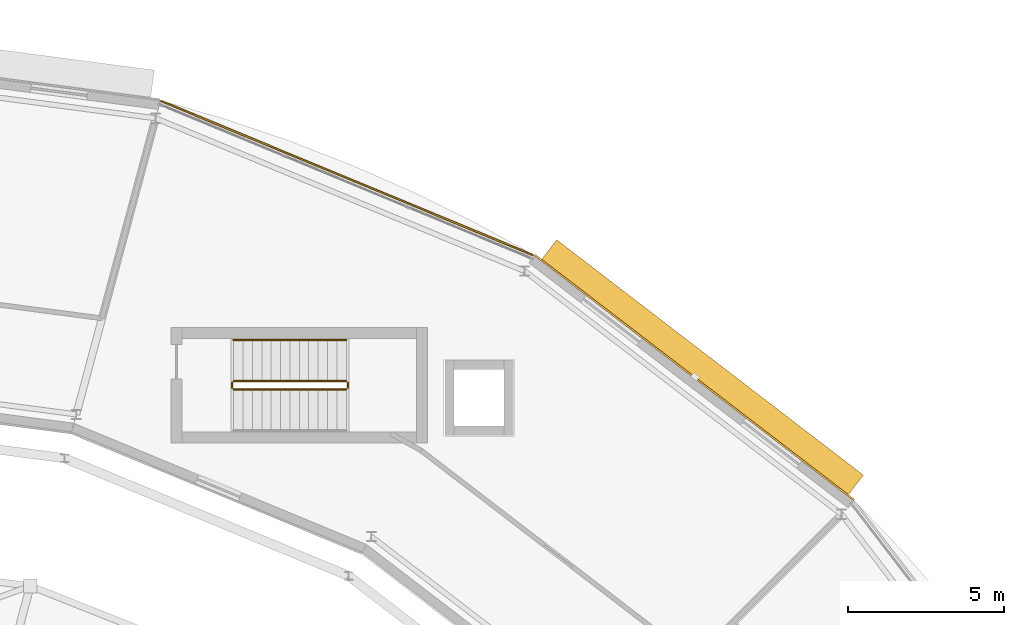
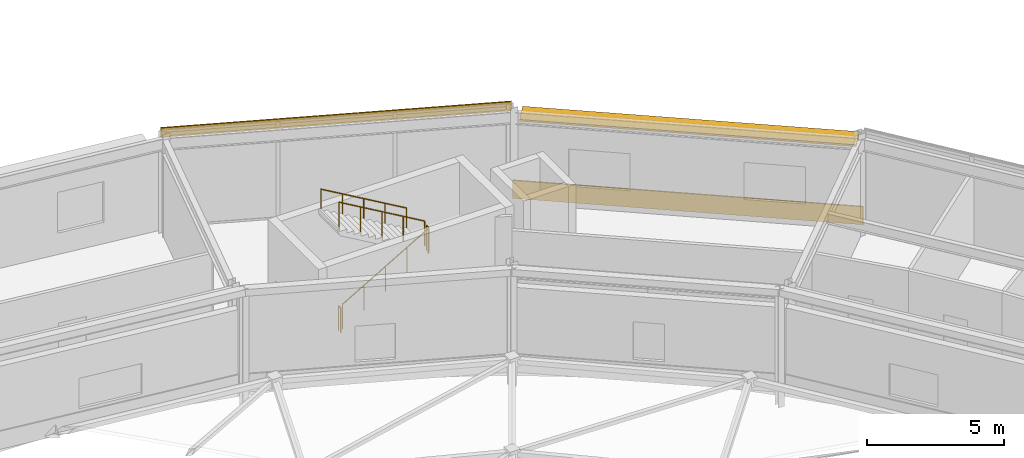
# One storey, part 84 of 89: 5 railings, 2 coverings, 1 shading device.
"""IFC4 building model written with IfcOpenShell, lengths in metres."""

from ifc_helpers import new_model, si_unit, direction, frame, origin, origin_2d, place, context, subcontext, project, spatial, rectangle, circle, extrude, material, layer, layer_set, type_object, element, save


model = new_model("IFC4")

# Units and contexts
model_context = context("Model", 3, precision=1e-05, world=origin(), true_north=direction((0.0, 1.0)))
body_context = subcontext(model_context, "Body", "Model", "MODEL_VIEW")
ifc_project = project(units=[si_unit("LENGTHUNIT", "METRE"), si_unit("AREAUNIT", "SQUARE_METRE"), si_unit("VOLUMEUNIT", "CUBIC_METRE"), si_unit("PLANEANGLEUNIT", "RADIAN"), si_unit("MASSUNIT", "GRAM", prefix="KILO")], contexts=[model_context])

# Site, building, storey
site_placement = place(None, origin())
site = spatial("IfcSite", under=ifc_project, at=site_placement, CompositionType="ELEMENT")
building_placement = place(site_placement, origin())
building = spatial("IfcBuilding", under=site, at=building_placement, Name="Almandine Court Research Institute", CompositionType="ELEMENT")
storey_placement = place(building_placement, frame((0.0, 0.0, 18.89990234375)))
storey = spatial("IfcBuildingStorey", under=building, at=storey_placement, Name="L04", CompositionType="ELEMENT", Elevation=18.89990234375)

# Coverings
ifc_material_1 = material(Name="Extruded Cream-Ochre Seismic Terracotta Spandrel", Category="masonry")
ifc_layer_1 = layer(ifc_material_1, 0.054931640625)
ifc_layer_set_1 = layer_set([ifc_layer_1], Name="Extruded Cream-Ochre Seismic Terracotta Spandrel")
covering_type = type_object("IfcCoveringType", Name="Cov-CLAD-TERR", PredefinedType="CLADDING", material=ifc_layer_set_1)
covering_1_placement = place(storey_placement, frame((116.883056640625, 94.944091796875, 0.02001953125), z_axis=(0.0, 0.0, 1.0), x_axis=(0.793353340291, -0.608761429009, 0.0)))
element("IfcCovering", 1, at=covering_1_placement, inside=storey, type_object=covering_type, Name="L04 Facade Spandrel Cladding Band 408", PredefinedType="CLADDING", context=body_context, shape_type="SweptSolid", body=[
    extrude(rectangle(XDim=12.867919921875, YDim=0.054931640625, at=origin_2d()), origin(), (0.0, 0.0, 1.0), 0.800048828125),
])
covering_2_placement = place(storey_placement, frame((105.77392578125, 101.323974609375, 3.920166015625), z_axis=(0.0, 0.0, 1.0), x_axis=(0.923879532511, -0.382683432365, 0.0)))
element("IfcCovering", 2, at=covering_2_placement, inside=storey, type_object=covering_type, Name="L04 Drum Stacked Terracotta Ring Band 04", PredefinedType="CLADDING", context=body_context, shape_type="SweptSolid", body=[
    extrude(rectangle(XDim=12.8779296875, YDim=0.054931640625, at=origin_2d()), origin(), (0.0, 0.0, 1.0), 0.419921875),
])

# Railings
ifc_material_2 = material(Name="Powder-Coated Steel Stair and Atrium Balustrade", Category="steel")
railing_type_1 = type_object("IfcRailingType", Name="Rail-GUARD-INT", PredefinedType="BALUSTRADE", material=ifc_material_2)
railing_1_placement = place(storey_placement, frame((102.14990234375, 94.570068359375, 0.175048828125)))
element("IfcRailing", 3, at=railing_1_placement, inside=storey, type_object=railing_type_1, Name="L04 ST-09 stair guard 1", PredefinedType="BALUSTRADE", context=body_context, shape_type="SweptSolid", body=[
    extrude(circle(Radius=0.02392578125, at=origin_2d()), frame((0.0, 0.0, 1.09619140625), z_axis=(0.863774651768, 0.0, 0.503878309678), x_axis=(0.0, 1.0, 0.0)), (0.0, 0.0, 1.0), 4.16796875),
    extrude(circle(Radius=0.02099609375, at=origin_2d()), origin(), (0.0, 0.0, 1.0), 1.072021484375),
    extrude(circle(Radius=0.02099609375, at=origin_2d()), frame((0.89990234375, 0.0, 0.52490234375)), (0.0, 0.0, 1.0), 1.072021484375),
    extrude(circle(Radius=0.02099609375, at=origin_2d()), frame((1.800048828125, 0.0, 1.050048828125)), (0.0, 0.0, 1.0), 1.072021484375),
    extrude(circle(Radius=0.02099609375, at=origin_2d()), frame((2.7001953125, 0.0, 1.5751953125)), (0.0, 0.0, 1.0), 1.072021484375),
    extrude(circle(Radius=0.02099609375, at=origin_2d()), frame((3.60009765625, 0.0, 2.10009765625)), (0.0, 0.0, 1.0), 1.072021484375),
])
railing_2_placement = place(storey_placement, frame((105.800048828125, 94.6201171875, 2.275146484375)))
element("IfcRailing", 4, at=railing_2_placement, inside=storey, type_object=railing_type_1, Name="L04 ST-09 stair guard 2", PredefinedType="BALUSTRADE", context=body_context, shape_type="SweptSolid", body=[
    extrude(circle(Radius=0.02392578125, at=origin_2d()), frame((0.0, 0.0, 1.09619140625), z_axis=(0.0, 1.0, 0.0), x_axis=(-1.0, 0.0, 0.0)), (0.0, 0.0, 1.0), 0.159912109375),
    extrude(circle(Radius=0.02099609375, at=origin_2d()), origin(), (0.0, 0.0, 1.0), 1.072021484375),
    extrude(circle(Radius=0.02099609375, at=origin_2d()), frame((0.0, 0.159912109375, 0.0)), (0.0, 0.0, 1.0), 1.072021484375),
])
railing_3_placement = place(storey_placement, frame((105.75, 94.830078125, 2.4501953125)))
element("IfcRailing", 5, at=railing_3_placement, inside=storey, type_object=railing_type_1, Name="L04 ST-09 stair guard 3", PredefinedType="BALUSTRADE", context=body_context, shape_type="SweptSolid", body=[
    extrude(circle(Radius=0.02392578125, at=origin_2d()), frame((0.0, 0.0, 1.09619140625), z_axis=(-0.863800146258, 0.0, 0.503834603144), x_axis=(0.0, -1.0, 0.0)), (0.0, 0.0, 1.0), 4.167724609375),
    extrude(circle(Radius=0.02099609375, at=origin_2d()), origin(), (0.0, 0.0, 1.0), 1.072021484375),
    extrude(circle(Radius=0.02099609375, at=origin_2d()), frame((-0.89990234375, 0.0, 0.52490234375)), (0.0, 0.0, 1.0), 1.072021484375),
    extrude(circle(Radius=0.02099609375, at=origin_2d()), frame((-1.800048828125, 0.0, 1.0498046875)), (0.0, 0.0, 1.0), 1.072021484375),
    extrude(circle(Radius=0.02099609375, at=origin_2d()), frame((-2.7001953125, 0.0, 1.574951171875)), (0.0, 0.0, 1.0), 1.072021484375),
    extrude(circle(Radius=0.02099609375, at=origin_2d()), frame((-3.60009765625, 0.0, 2.099853515625)), (0.0, 0.0, 1.0), 1.072021484375),
])
railing_4_placement = place(storey_placement, frame((102.10009765625, 94.6201171875, 0.0)))
element("IfcRailing", 6, at=railing_4_placement, inside=storey, type_object=railing_type_1, Name="L04 ST-09 stair guard 4", PredefinedType="BALUSTRADE", context=body_context, shape_type="SweptSolid", body=[
    extrude(circle(Radius=0.02392578125, at=origin_2d()), frame((0.0, 0.0, 1.09619140625), z_axis=(0.0, 1.0, 0.0), x_axis=(-1.0, 0.0, 0.0)), (0.0, 0.0, 1.0), 0.159912109375),
    extrude(circle(Radius=0.02099609375, at=origin_2d()), origin(), (0.0, 0.0, 1.0), 1.072021484375),
    extrude(circle(Radius=0.02099609375, at=origin_2d()), frame((0.0, 0.159912109375, 0.0)), (0.0, 0.0, 1.0), 1.072021484375),
])
ifc_material_3 = material(Name="Brushed Stainless Steel Wall Handrail", Category="steel")
railing_type_2 = type_object("IfcRailingType", Name="Rail-HAND-INT", PredefinedType="HANDRAIL", material=ifc_material_3)
railing_5_placement = place(storey_placement, frame((105.75, 96.14990234375, 2.4501953125)))
element("IfcRailing", 7, at=railing_5_placement, inside=storey, type_object=railing_type_2, Name="L04 ST-09 stair handrail 2", PredefinedType="HANDRAIL", context=body_context, shape_type="SweptSolid", body=[
    extrude(circle(Radius=0.02392578125, at=origin_2d()), frame((0.0, 0.0, 0.8759765625), z_axis=(-0.863800146258, 0.0, 0.503834603144), x_axis=(0.0, -1.0, 0.0)), (0.0, 0.0, 1.0), 4.167724609375),
    extrude(circle(Radius=0.02099609375, at=origin_2d()), origin(), (0.0, 0.0, 1.0), 0.851806640625),
    extrude(circle(Radius=0.02099609375, at=origin_2d()), frame((-0.89990234375, 0.0, 0.52490234375)), (0.0, 0.0, 1.0), 0.851806640625),
    extrude(circle(Radius=0.02099609375, at=origin_2d()), frame((-1.800048828125, 0.0, 1.0498046875)), (0.0, 0.0, 1.0), 0.851806640625),
    extrude(circle(Radius=0.02099609375, at=origin_2d()), frame((-2.7001953125, 0.0, 1.574951171875)), (0.0, 0.0, 1.0), 0.851806640625),
    extrude(circle(Radius=0.02099609375, at=origin_2d()), frame((-3.60009765625, 0.0, 2.099853515625)), (0.0, 0.0, 1.0), 0.851806640625),
])

# Shading device
ifc_material_4 = material(Name="Precast GFRC Chhajja Sunshade and Acoustic Louvre", Category="concrete")
ifc_layer_2 = layer(ifc_material_4, 0.080078125)
ifc_layer_set_2 = layer_set([ifc_layer_2], Name="Precast GFRC Chhajja Sunshade and Acoustic Louvre")
shading_device_type = type_object("IfcShadingDeviceType", Name="Shd-SD-89", PredefinedType="AWNING", material=ifc_layer_set_2)
shading_device_placement = place(storey_placement, frame((117.1201171875, 95.2529296875, 3.47412109375), z_axis=(0.0, 0.0, 1.0), x_axis=(0.793353340291, -0.608761429009, 0.0)))
element("IfcShadingDevice", 8, at=shading_device_placement, inside=storey, type_object=shading_device_type, Name="L04 Projecting Chhajja Sunshade 186", PredefinedType="AWNING", context=body_context, shape_type="SweptSolid", body=[
    extrude(rectangle(XDim=12.35791015625, YDim=0.85009765625, at=origin_2d()), origin(), (0.0, 0.0, 1.0), 0.080078125),
])

save(model, "model.ifc")
